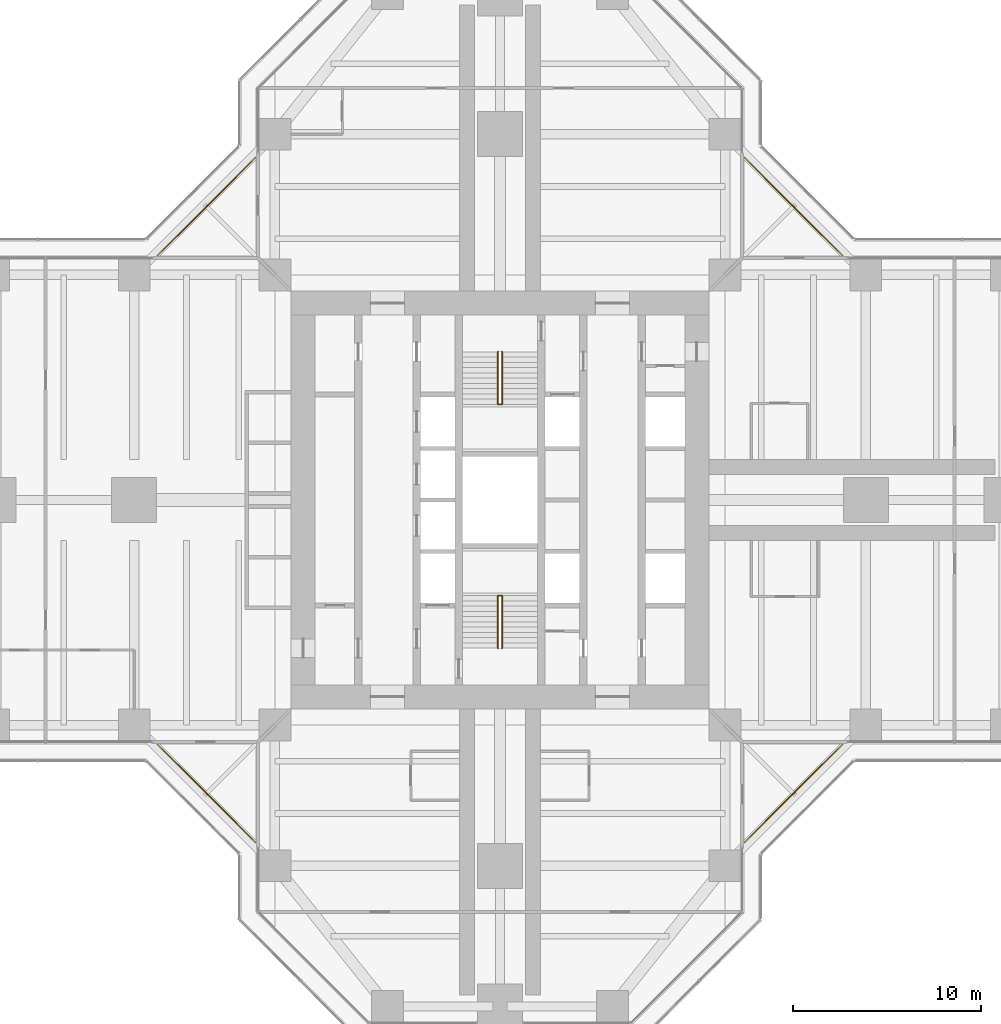
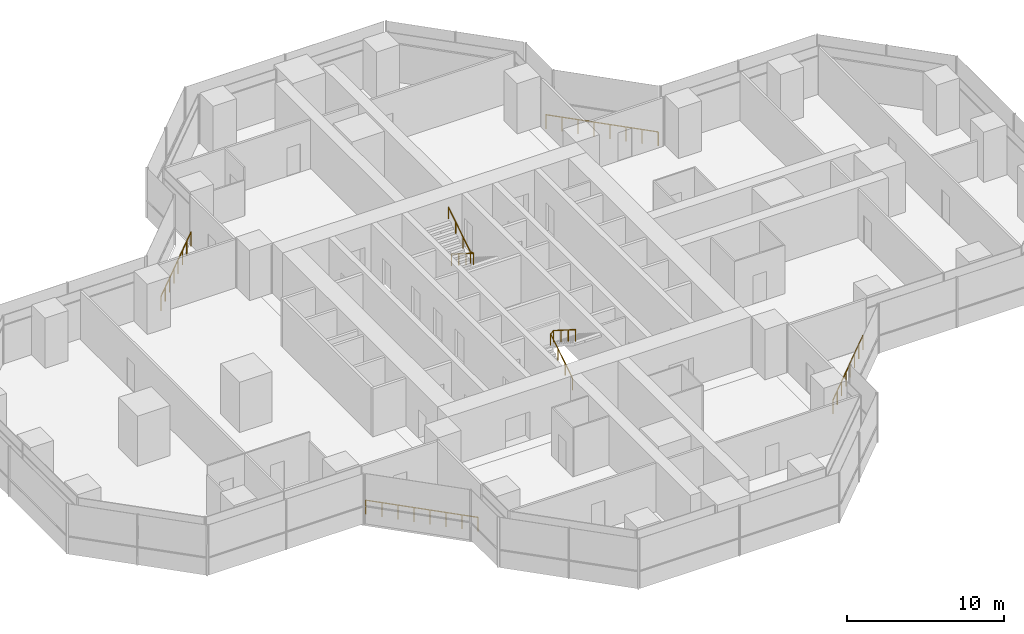
# One storey, part 20 of 20: 6 railings.
"""IFC4 building model written with IfcOpenShell, lengths in metres."""

import ifcopenshell
import ifcopenshell.guid

model = None  # the IFC model being written
_history = None  # IfcOwnerHistory: only IFC2X3 demands one
_inside = {}  # id of a spatial element -> (the spatial element, [elements in it])
_under = {}  # id of a project, library or spatial element -> (it, [spatial elements below it])
_declared = {}  # id of a project -> (the project, [libraries it declares])
_typed = {}  # id of a type object -> (the type object, [elements of that type])
_made_of = {}  # id of a material, layer set ... -> (it, [elements and type objects made of it])


def new_model(schema):
    """Start an empty IFC model of exactly this schema.

    Asked for "IFC4X3", IfcOpenShell would pick the latest addendum, in which some entities
    have other attributes; the version numbers below select the first issue.
    IFC2X3 requires an IfcOwnerHistory on every rooted entity: one is made here for all.
    """
    global model, _history
    if schema == "IFC4X3":
        model = ifcopenshell.file(schema_version=(4, 3, 0, 0))
    else:
        model = ifcopenshell.file(schema=schema)
    _inside.clear()
    _under.clear()
    _declared.clear()
    _typed.clear()
    _made_of.clear()
    _history = None
    if model.schema == "IFC2X3":
        org = make("IfcOrganization", Name="unknown")
        user = make(
            "IfcPersonAndOrganization",
            ThePerson=make("IfcPerson", FamilyName="unknown"),
            TheOrganization=org,
        )
        app = make(
            "IfcApplication",
            ApplicationDeveloper=org,
            Version="unknown",
            ApplicationFullName="unknown",
            ApplicationIdentifier="unknown",
        )
        _history = make(
            "IfcOwnerHistory",
            OwningUser=user,
            OwningApplication=app,
            ChangeAction="ADDED",
            CreationDate=0,
        )
    return model


def make(cls, **values):
    """One entity of the class cls with the attributes given. An attribute that is None is left unset."""
    return model.create_entity(
        cls, **{name: value for name, value in values.items() if value is not None}
    )


def rooted(cls, **values):
    """An entity with a GlobalId (a new one), such as an element, a storey or a relation."""
    return make(cls, GlobalId=ifcopenshell.guid.new(), OwnerHistory=_history, **values)


def si_unit(unit_type, name, prefix=None):
    """IfcSIUnit, for example si_unit("LENGTHUNIT", "METRE", prefix="MILLI")."""
    return make("IfcSIUnit", UnitType=unit_type, Prefix=prefix, Name=name)


def assignment(units):
    """IfcUnitAssignment: the units of a project."""
    return None if units is None else make("IfcUnitAssignment", Units=units)


def point(xyz):
    """IfcCartesianPoint."""
    return None if xyz is None else make("IfcCartesianPoint", Coordinates=xyz)


def direction(xyz):
    """IfcDirection."""
    return None if xyz is None else make("IfcDirection", DirectionRatios=xyz)


def frame(location, z_axis=None, x_axis=None):
    """IfcAxis2Placement3D, a coordinate frame: its origin and axes. An axis left out is left unset."""
    return make(
        "IfcAxis2Placement3D",
        Location=point(location),
        Axis=direction(z_axis),
        RefDirection=direction(x_axis),
    )


def frame_2d(location, x_axis=None):
    """IfcAxis2Placement2D, a coordinate frame in the plane: its origin and x axis."""
    return make(
        "IfcAxis2Placement2D", Location=point(location), RefDirection=direction(x_axis)
    )


def origin():
    """The frame at (0, 0, 0) with its axes left unset."""
    return frame((0.0, 0.0, 0.0))


def origin_2d():
    """The frame at (0, 0) in the plane with its x axis left unset."""
    return frame_2d((0.0, 0.0))


def place(relative_to, where):
    """IfcLocalPlacement: puts the frame where relative to a parent placement (None: the world)."""
    return make(
        "IfcLocalPlacement", PlacementRelTo=relative_to, RelativePlacement=where
    )


def context(
    kind, dimensions, precision=None, world=None, true_north=None, identifier=None
):
    """IfcGeometricRepresentationContext, for example the 3D "Model" context."""
    return make(
        "IfcGeometricRepresentationContext",
        ContextIdentifier=identifier,
        ContextType=kind,
        CoordinateSpaceDimension=dimensions,
        Precision=precision,
        WorldCoordinateSystem=world,
        TrueNorth=true_north,
    )


def subcontext(parent, identifier, kind, view, scale=None):
    """IfcGeometricRepresentationSubContext, for example "Body" below "Model"."""
    return make(
        "IfcGeometricRepresentationSubContext",
        ContextIdentifier=identifier,
        ContextType=kind,
        ParentContext=parent,
        TargetScale=scale,
        TargetView=view,
    )


def project(units=None, contexts=None):
    """IfcProject with its units and contexts."""
    return rooted(
        "IfcProject",
        Name="project",
        RepresentationContexts=contexts,
        UnitsInContext=assignment(units),
    )


def spatial(cls, under=None, at=None, **own):
    """A site, building, storey or space (cls), placed at a placement, below another one or the project."""
    s = rooted(cls, ObjectPlacement=at, **own)
    if under is not None:
        _under.setdefault(under.id(), (under, []))[1].append(s)
    return s


def profile(cls, at=None, kind="AREA", **sizes):
    """A parametric profile (cls). Its sizes go by their IFC names, for example OverallWidth=200.0."""
    return make(cls, ProfileType=kind, Position=at, **sizes)


def circle(**sizes):
    """IfcCircleProfileDef."""
    return profile("IfcCircleProfileDef", **sizes)


def extrude(swept, where, along, depth):
    """IfcExtrudedAreaSolid: the profile swept, set in the frame where, extruded along a direction by depth."""
    return make(
        "IfcExtrudedAreaSolid",
        SweptArea=swept,
        Position=where,
        ExtrudedDirection=direction(along),
        Depth=depth,
    )


def shape(context_of_items, identifier, shape_type, items):
    """IfcShapeRepresentation: the items that make up one representation, for example the "Body"."""
    return make(
        "IfcShapeRepresentation",
        ContextOfItems=context_of_items,
        RepresentationIdentifier=identifier,
        RepresentationType=shape_type,
        Items=items,
    )


def material(Name=None, Category=None):
    """IfcMaterial."""
    return make("IfcMaterial", Name=Name, Category=Category)


def made_of(thing, what):
    """Note that an element or type object is made of a material, layer set ...; save() writes the relation."""
    if what is not None:
        _made_of.setdefault(what.id(), (what, []))[1].append(thing)
    return thing


def type_object(cls, material=None, **own):
    """A type object (cls), such as IfcWallType, which elements share."""
    return made_of(rooted(cls, **own), material)


def element(
    cls,
    number,
    at=None,
    inside=None,
    cuts=None,
    type_object=None,
    material=None,
    context=None,
    identifier="Body",
    shape_type=None,
    held_by="IfcProductDefinitionShape",
    body=None,
    shapes=None,
    **own,
):
    """One element of the class cls, such as IfcWall. Its Tag is "e" and its number.

    at: its placement. inside: the storey or other place that contains it. cuts: it is an
    opening in that element (IfcRelVoidsElement). A single representation is given by context,
    identifier, shape_type and body (its items); several are given by shapes. held_by: the class
    of the entity that holds the representations. save() writes the other relations.
    """
    e = rooted(cls, Tag="e%d" % number, ObjectPlacement=at, **own)
    if body is not None:
        shapes = [shape(context, identifier, shape_type, body)]
    if shapes is not None:
        e.Representation = make(held_by, Representations=shapes)
    if inside is not None:
        _inside.setdefault(inside.id(), (inside, []))[1].append(e)
    if cuts is not None:
        rooted(
            "IfcRelVoidsElement", RelatingBuildingElement=cuts, RelatedOpeningElement=e
        )
    if type_object is not None:
        _typed.setdefault(type_object.id(), (type_object, []))[1].append(e)
    return made_of(e, material)


def aggregate(whole, parts):
    """IfcRelAggregates: a whole, such as a stair, and the parts it consists of."""
    return rooted("IfcRelAggregates", RelatingObject=whole, RelatedObjects=parts)


def save(model, path):
    """Write the relations noted so far, then the file.

    IfcRelAggregates (storeys below a building ...), IfcRelContainedInSpatialStructure (elements
    in a storey), IfcRelDefinesByType, IfcRelAssociatesMaterial and IfcRelDeclares: one each for
    every whole, place, type object, material and project.
    """
    for whole, parts in _under.values():
        aggregate(whole, parts)
    for where, things in _inside.values():
        rooted(
            "IfcRelContainedInSpatialStructure",
            RelatedElements=things,
            RelatingStructure=where,
        )
    for kind, things in _typed.values():
        rooted("IfcRelDefinesByType", RelatedObjects=things, RelatingType=kind)
    for what, things in _made_of.values():
        rooted("IfcRelAssociatesMaterial", RelatedObjects=things, RelatingMaterial=what)
    for by, libraries in _declared.values():
        rooted("IfcRelDeclares", RelatingContext=by, RelatedDefinitions=libraries)
    model.write(path)


model = new_model("IFC4")

# Units and contexts
model_context = context("Model", 3, precision=1e-05, world=origin(), true_north=direction((0.0, 1.0)))
body_context = subcontext(model_context, "Body", "Model", "MODEL_VIEW")
ifc_project = project(units=[si_unit("LENGTHUNIT", "METRE"), si_unit("AREAUNIT", "SQUARE_METRE"), si_unit("VOLUMEUNIT", "CUBIC_METRE"), si_unit("PLANEANGLEUNIT", "RADIAN"), si_unit("MASSUNIT", "GRAM", prefix="KILO")], contexts=[model_context])

# Site, building, storey
site_placement = place(None, origin())
site = spatial("IfcSite", under=ifc_project, at=site_placement, CompositionType="ELEMENT")
building_placement = place(site_placement, origin())
building = spatial("IfcBuilding", under=site, at=building_placement, Name="Mizan Broadcast Tower", CompositionType="ELEMENT")
storey_placement = place(building_placement, frame((0.0, 0.0, 190.5)))
storey = spatial("IfcBuildingStorey", under=building, at=storey_placement, Name="L44", CompositionType="ELEMENT", Elevation=190.5)

# Railings
ifc_material_1 = material(Name="Stainless steel and glass guard", Category="steel")
railing_type_1 = type_object("IfcRailingType", Name="GUARD 1100", PredefinedType="GUARDRAIL", material=ifc_material_1)
railing_1_placement = place(storey_placement, frame((18.2578125, 13.030029296875, 0.0)))
element("IfcRailing", 1, at=railing_1_placement, inside=storey, type_object=railing_type_1, Name="Winter garden guard L44 E", PredefinedType="GUARDRAIL", context=body_context, shape_type="SweptSolid", body=[
    extrude(circle(Radius=0.02392578125, at=origin_2d()), frame((0.0, 0.0, 1.076171875), z_axis=(-0.707106781187, 0.707106781187, 0.0), x_axis=(-0.707106781187, -0.707106781187, 0.0)), (0.0, 0.0, 1.0), 7.393310546875),
    extrude(circle(Radius=0.02099609375, at=origin_2d()), origin(), (0.0, 0.0, 1.0), 1.052001953125),
    extrude(circle(Radius=0.02099609375, at=origin_2d()), frame((-0.746826171875, 0.746826171875, 0.0)), (0.0, 0.0, 1.0), 1.052001953125),
    extrude(circle(Radius=0.02099609375, at=origin_2d()), frame((-1.49365234375, 1.49365234375, 0.0)), (0.0, 0.0, 1.0), 1.052001953125),
    extrude(circle(Radius=0.02099609375, at=origin_2d()), frame((-2.240478515625, 2.240478515625, 0.0)), (0.0, 0.0, 1.0), 1.052001953125),
    extrude(circle(Radius=0.02099609375, at=origin_2d()), frame((-2.9873046875, 2.9873046875, 0.0)), (0.0, 0.0, 1.0), 1.052001953125),
    extrude(circle(Radius=0.02099609375, at=origin_2d()), frame((-3.734130859375, 3.734130859375, 0.0)), (0.0, 0.0, 1.0), 1.052001953125),
    extrude(circle(Radius=0.02099609375, at=origin_2d()), frame((-4.48095703125, 4.48095703125, 0.0)), (0.0, 0.0, 1.0), 1.052001953125),
    extrude(circle(Radius=0.02099609375, at=origin_2d()), frame((-5.227783203125, 5.227783203125, 0.0)), (0.0, 0.0, 1.0), 1.052001953125),
])
railing_2_placement = place(storey_placement, frame((-13.030029296875, 18.2578125, 0.0)))
element("IfcRailing", 2, at=railing_2_placement, inside=storey, type_object=railing_type_1, Name="Winter garden guard L44 N", PredefinedType="GUARDRAIL", context=body_context, shape_type="SweptSolid", body=[
    extrude(circle(Radius=0.02392578125, at=origin_2d()), frame((0.0, 0.0, 1.076171875), z_axis=(-0.707106781187, -0.707106781187, 0.0), x_axis=(0.707106781187, -0.707106781187, 0.0)), (0.0, 0.0, 1.0), 7.393310546875),
    extrude(circle(Radius=0.02099609375, at=origin_2d()), origin(), (0.0, 0.0, 1.0), 1.052001953125),
    extrude(circle(Radius=0.02099609375, at=origin_2d()), frame((-0.746826171875, -0.746826171875, 0.0)), (0.0, 0.0, 1.0), 1.052001953125),
    extrude(circle(Radius=0.02099609375, at=origin_2d()), frame((-1.49365234375, -1.49365234375, 0.0)), (0.0, 0.0, 1.0), 1.052001953125),
    extrude(circle(Radius=0.02099609375, at=origin_2d()), frame((-2.240478515625, -2.240478515625, 0.0)), (0.0, 0.0, 1.0), 1.052001953125),
    extrude(circle(Radius=0.02099609375, at=origin_2d()), frame((-2.9873046875, -2.9873046875, 0.0)), (0.0, 0.0, 1.0), 1.052001953125),
    extrude(circle(Radius=0.02099609375, at=origin_2d()), frame((-3.734130859375, -3.734130859375, 0.0)), (0.0, 0.0, 1.0), 1.052001953125),
    extrude(circle(Radius=0.02099609375, at=origin_2d()), frame((-4.48095703125, -4.48095703125, 0.0)), (0.0, 0.0, 1.0), 1.052001953125),
    extrude(circle(Radius=0.02099609375, at=origin_2d()), frame((-5.227783203125, -5.227783203125, 0.0)), (0.0, 0.0, 1.0), 1.052001953125),
])
railing_3_placement = place(storey_placement, frame((-18.2578125, -13.030029296875, 0.0)))
element("IfcRailing", 3, at=railing_3_placement, inside=storey, type_object=railing_type_1, Name="Winter garden guard L44 W", PredefinedType="GUARDRAIL", context=body_context, shape_type="SweptSolid", body=[
    extrude(circle(Radius=0.02392578125, at=origin_2d()), frame((0.0, 0.0, 1.076171875), z_axis=(0.707106781187, -0.707106781187, 0.0), x_axis=(0.707106781187, 0.707106781187, 0.0)), (0.0, 0.0, 1.0), 7.393310546875),
    extrude(circle(Radius=0.02099609375, at=origin_2d()), origin(), (0.0, 0.0, 1.0), 1.052001953125),
    extrude(circle(Radius=0.02099609375, at=origin_2d()), frame((0.746826171875, -0.746826171875, 0.0)), (0.0, 0.0, 1.0), 1.052001953125),
    extrude(circle(Radius=0.02099609375, at=origin_2d()), frame((1.49365234375, -1.49365234375, 0.0)), (0.0, 0.0, 1.0), 1.052001953125),
    extrude(circle(Radius=0.02099609375, at=origin_2d()), frame((2.240478515625, -2.240478515625, 0.0)), (0.0, 0.0, 1.0), 1.052001953125),
    extrude(circle(Radius=0.02099609375, at=origin_2d()), frame((2.9873046875, -2.9873046875, 0.0)), (0.0, 0.0, 1.0), 1.052001953125),
    extrude(circle(Radius=0.02099609375, at=origin_2d()), frame((3.734130859375, -3.734130859375, 0.0)), (0.0, 0.0, 1.0), 1.052001953125),
    extrude(circle(Radius=0.02099609375, at=origin_2d()), frame((4.48095703125, -4.48095703125, 0.0)), (0.0, 0.0, 1.0), 1.052001953125),
    extrude(circle(Radius=0.02099609375, at=origin_2d()), frame((5.227783203125, -5.227783203125, 0.0)), (0.0, 0.0, 1.0), 1.052001953125),
])
railing_4_placement = place(storey_placement, frame((13.030029296875, -18.2578125, 0.0)))
element("IfcRailing", 4, at=railing_4_placement, inside=storey, type_object=railing_type_1, Name="Winter garden guard L44 S", PredefinedType="GUARDRAIL", context=body_context, shape_type="SweptSolid", body=[
    extrude(circle(Radius=0.02392578125, at=origin_2d()), frame((0.0, 0.0, 1.076171875), z_axis=(0.707106781187, 0.707106781187, 0.0), x_axis=(-0.707106781187, 0.707106781187, 0.0)), (0.0, 0.0, 1.0), 7.393310546875),
    extrude(circle(Radius=0.02099609375, at=origin_2d()), origin(), (0.0, 0.0, 1.0), 1.052001953125),
    extrude(circle(Radius=0.02099609375, at=origin_2d()), frame((0.746826171875, 0.746826171875, 0.0)), (0.0, 0.0, 1.0), 1.052001953125),
    extrude(circle(Radius=0.02099609375, at=origin_2d()), frame((1.49365234375, 1.49365234375, 0.0)), (0.0, 0.0, 1.0), 1.052001953125),
    extrude(circle(Radius=0.02099609375, at=origin_2d()), frame((2.240478515625, 2.240478515625, 0.0)), (0.0, 0.0, 1.0), 1.052001953125),
    extrude(circle(Radius=0.02099609375, at=origin_2d()), frame((2.9873046875, 2.9873046875, 0.0)), (0.0, 0.0, 1.0), 1.052001953125),
    extrude(circle(Radius=0.02099609375, at=origin_2d()), frame((3.734130859375, 3.734130859375, 0.0)), (0.0, 0.0, 1.0), 1.052001953125),
    extrude(circle(Radius=0.02099609375, at=origin_2d()), frame((4.48095703125, 4.48095703125, 0.0)), (0.0, 0.0, 1.0), 1.052001953125),
    extrude(circle(Radius=0.02099609375, at=origin_2d()), frame((5.227783203125, 5.227783203125, 0.0)), (0.0, 0.0, 1.0), 1.052001953125),
])
ifc_material_2 = material(Name="Stainless steel", Category="steel")
railing_type_2 = type_object("IfcRailingType", Name="HANDRAIL 50", PredefinedType="HANDRAIL", material=ifc_material_2)
railing_5_placement = place(storey_placement, frame((-0.110107421875, -7.89990234375, 0.17724609375)))
element("IfcRailing", 5, at=railing_5_placement, inside=storey, type_object=railing_type_2, Name="Stair A handrail", PredefinedType="HANDRAIL", context=body_context, shape_type="SweptSolid", body=[
    extrude(circle(Radius=0.02392578125, at=origin_2d()), frame((0.0, 0.0, 0.8759765625), z_axis=(0.0, 0.844887892834, 0.53494340686), x_axis=(-1.0, 0.0, 0.0)), (0.0, 0.0, 1.0), 3.313720703125),
    extrude(circle(Radius=0.02392578125, at=origin_2d()), frame((0.0, 2.7998046875, 2.6484375), z_axis=(0.779011685263, 0.0, 0.627009405212), x_axis=(0.0, 1.0, 0.0)), (0.0, 0.0, 1.0), 0.28271484375),
    extrude(circle(Radius=0.02392578125, at=origin_2d()), frame((0.22021484375, 2.7998046875, 2.82568359375), z_axis=(0.0, -0.844887892834, 0.53494340686), x_axis=(1.0, 0.0, 0.0)), (0.0, 0.0, 1.0), 3.313720703125),
    extrude(circle(Radius=0.02099609375, at=origin_2d()), origin(), (0.0, 0.0, 1.0), 0.851806640625),
    extrude(circle(Radius=0.02099609375, at=origin_2d()), frame((0.0, 0.933349609375, 0.5908203125)), (0.0, 0.0, 1.0), 0.851806640625),
    extrude(circle(Radius=0.02099609375, at=origin_2d()), frame((0.0, 1.866455078125, 1.181884765625)), (0.0, 0.0, 1.0), 0.851806640625),
    extrude(circle(Radius=0.02099609375, at=origin_2d()), frame((0.0, 2.7998046875, 1.772705078125)), (0.0, 0.0, 1.0), 0.851806640625),
    extrude(circle(Radius=0.02099609375, at=origin_2d()), frame((0.22021484375, 2.7998046875, 1.949951171875)), (0.0, 0.0, 1.0), 0.851806640625),
    extrude(circle(Radius=0.02099609375, at=origin_2d()), frame((0.22021484375, 1.866455078125, 2.540771484375)), (0.0, 0.0, 1.0), 0.851806640625),
    extrude(circle(Radius=0.02099609375, at=origin_2d()), frame((0.22021484375, 0.933349609375, 3.1318359375)), (0.0, 0.0, 1.0), 0.851806640625),
    extrude(circle(Radius=0.02099609375, at=origin_2d()), frame((0.22021484375, 0.0, 3.72265625)), (0.0, 0.0, 1.0), 0.851806640625),
])
railing_6_placement = place(storey_placement, frame((0.110107421875, 7.89990234375, 0.17724609375)))
element("IfcRailing", 6, at=railing_6_placement, inside=storey, type_object=railing_type_2, Name="Stair B handrail", PredefinedType="HANDRAIL", context=body_context, shape_type="SweptSolid", body=[
    extrude(circle(Radius=0.02392578125, at=origin_2d()), frame((0.0, 0.0, 0.8759765625), z_axis=(0.0, -0.844887892834, 0.53494340686), x_axis=(1.0, 0.0, 0.0)), (0.0, 0.0, 1.0), 3.313720703125),
    extrude(circle(Radius=0.02392578125, at=origin_2d()), frame((0.0, -2.7998046875, 2.6484375), z_axis=(-0.779011685263, 0.0, 0.627009405212), x_axis=(0.0, -1.0, 0.0)), (0.0, 0.0, 1.0), 0.28271484375),
    extrude(circle(Radius=0.02392578125, at=origin_2d()), frame((-0.22021484375, -2.7998046875, 2.82568359375), z_axis=(0.0, 0.844887892834, 0.53494340686), x_axis=(-1.0, 0.0, 0.0)), (0.0, 0.0, 1.0), 3.313720703125),
    extrude(circle(Radius=0.02099609375, at=origin_2d()), origin(), (0.0, 0.0, 1.0), 0.851806640625),
    extrude(circle(Radius=0.02099609375, at=origin_2d()), frame((0.0, -0.933349609375, 0.5908203125)), (0.0, 0.0, 1.0), 0.851806640625),
    extrude(circle(Radius=0.02099609375, at=origin_2d()), frame((0.0, -1.866455078125, 1.181884765625)), (0.0, 0.0, 1.0), 0.851806640625),
    extrude(circle(Radius=0.02099609375, at=origin_2d()), frame((0.0, -2.7998046875, 1.772705078125)), (0.0, 0.0, 1.0), 0.851806640625),
    extrude(circle(Radius=0.02099609375, at=origin_2d()), frame((-0.22021484375, -2.7998046875, 1.949951171875)), (0.0, 0.0, 1.0), 0.851806640625),
    extrude(circle(Radius=0.02099609375, at=origin_2d()), frame((-0.22021484375, -1.866455078125, 2.540771484375)), (0.0, 0.0, 1.0), 0.851806640625),
    extrude(circle(Radius=0.02099609375, at=origin_2d()), frame((-0.22021484375, -0.933349609375, 3.1318359375)), (0.0, 0.0, 1.0), 0.851806640625),
    extrude(circle(Radius=0.02099609375, at=origin_2d()), frame((-0.22021484375, 0.0, 3.72265625)), (0.0, 0.0, 1.0), 0.851806640625),
])

save(model, "model.ifc")
